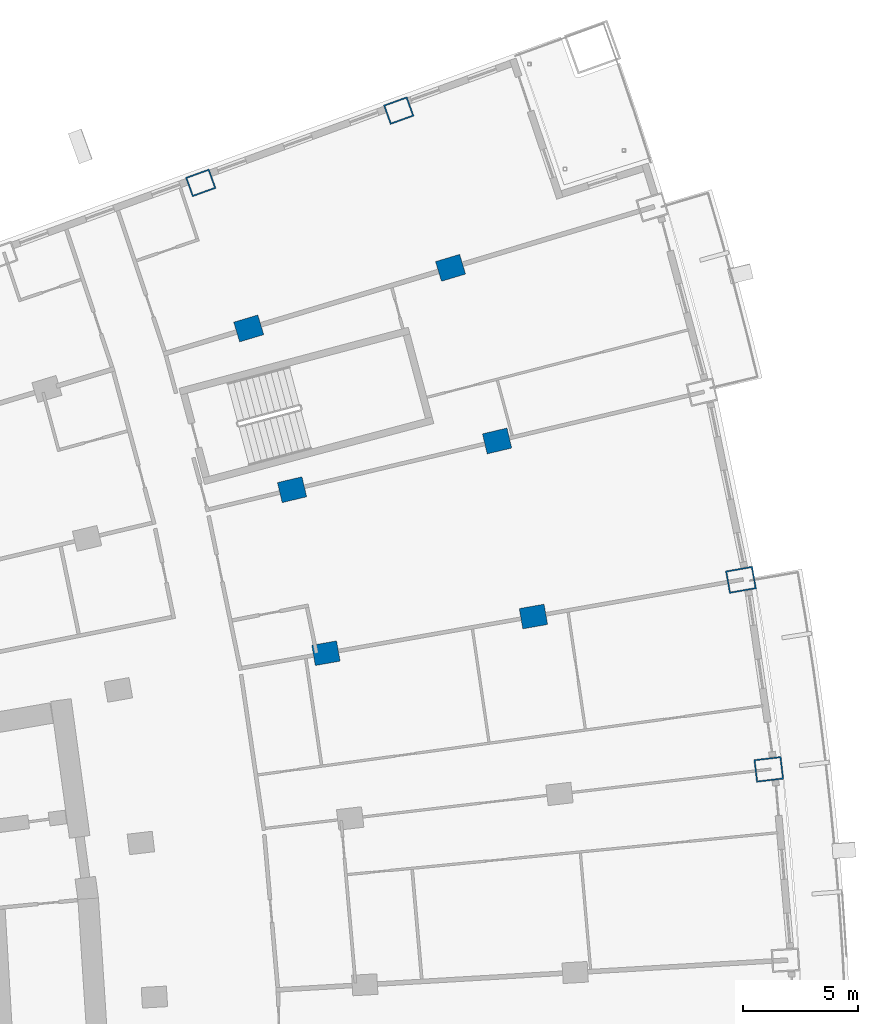
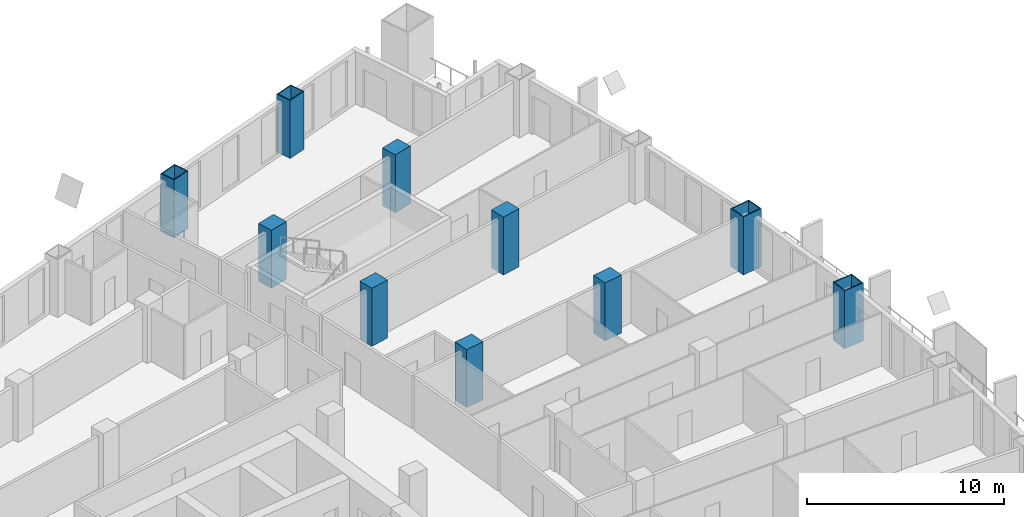
# One storey, part 10 of 24: 10 columns.
"""IFC4 building model written with IfcOpenShell, lengths in metres."""

from ifc_helpers import new_model, si_unit, direction, frame, origin, origin_2d, place, context, subcontext, project, spatial, rectangle, hollow_rectangle, extrude, material, material_profile, profile_set, type_object, element, save


model = new_model("IFC4")

# Units and contexts
model_context = context("Model", 3, precision=1e-05, world=origin(), true_north=direction((0.0, 1.0)))
body_context = subcontext(model_context, "Body", "Model", "MODEL_VIEW")
ifc_project = project(units=[si_unit("LENGTHUNIT", "METRE"), si_unit("AREAUNIT", "SQUARE_METRE"), si_unit("VOLUMEUNIT", "CUBIC_METRE"), si_unit("PLANEANGLEUNIT", "RADIAN"), si_unit("MASSUNIT", "GRAM", prefix="KILO")], contexts=[model_context])

# Site, building, storey
site_placement = place(None, origin())
site = spatial("IfcSite", under=ifc_project, at=site_placement, CompositionType="ELEMENT")
building_placement = place(site_placement, origin())
building = spatial("IfcBuilding", under=site, at=building_placement, Name="Alderwake Tower", CompositionType="ELEMENT")
storey_placement = place(building_placement, frame((0.0, 0.0, 39.199951171875)))
storey = spatial("IfcBuildingStorey", under=building, at=storey_placement, Name="L08", CompositionType="ELEMENT", Elevation=39.199951171875)

# Columns
ifc_material_1 = material(Name="Steel ASTM A572 Grade 50 concrete filled C70/85", Category="concrete")
ifc_material_profile_1 = material_profile(ifc_material_1, hollow_rectangle(XDim=0.89990234375, YDim=1.10009765625, WallThickness=0.06005859375, at=origin_2d()), Name="BOX 1100X900X60")
ifc_profile_set_1 = profile_set([ifc_material_profile_1], Name="Steel ASTM A572 Grade 50 concrete filled C70/85")
column_type_1 = type_object("IfcColumnType", Name="End column Z1", PredefinedType="COLUMN", material=ifc_profile_set_1)
for number, where, z_axis, x_axis, name in (
    (1, (37.6259765625, 103.298095703125, 0.0), (0.0, 0.0, 1.0), (-0.338384834858, 0.941007812687, 0.0), "Column R13-C3"),
    (2, (46.268310546875, 106.452880859375, 0.0), (0.0, 0.0, 1.0), (-0.338695224082, 0.940896139425, 0.0), "Column R13-C4"),
):
    element("IfcColumn", number, at=place(storey_placement, frame(where, z_axis=z_axis, x_axis=x_axis)), inside=storey, type_object=column_type_1, Name=name, PredefinedType="COLUMN", context=body_context, shape_type="SweptSolid", body=[
        extrude(hollow_rectangle(XDim=0.89990234375, YDim=1.10009765625, WallThickness=0.06005859375, at=origin_2d()), origin(), (0.0, 0.0, 1.0), 3.60009765625),
    ])
ifc_material_2 = material(Name="Concrete C70/85", Category="concrete")
ifc_material_profile_2 = material_profile(ifc_material_2, rectangle(XDim=0.89990234375, YDim=1.10009765625, at=origin_2d()), Name="RC 1100X900")
ifc_profile_set_2 = profile_set([ifc_material_profile_2], Name="Concrete C70/85")
column_type_2 = type_object("IfcColumnType", Name="Interior column Z1", PredefinedType="COLUMN", material=ifc_profile_set_2)
for number, where, z_axis, x_axis, name in (
    (3, (43.0908203125, 82.763427734375, 0.0), (0.0, 0.0, 1.0), (-0.174108800747, 0.984726421654, 0.0), "Column R10-C3"),
    (4, (52.150390625, 84.365234375, 0.0), (0.0, 0.0, 1.0), (-0.174108800747, 0.984726421654, 0.0), "Column R10-C4"),
    (5, (41.612548828125, 89.902587890625, 0.0), (0.0, 0.0, 1.0), (-0.231221547198, 0.972901123502, 0.0), "Column R11-C3"),
    (6, (50.563232421875, 92.030029296875, 0.0), (0.0, 0.0, 1.0), (-0.231221547198, 0.972901123502, 0.0), "Column R11-C4"),
    (7, (39.720703125, 96.943603515625, 0.0), (0.0, 0.0, 1.0), (-0.287549418125, 0.957765802342, 0.0), "Column R12-C3"),
    (8, (48.5322265625, 99.589111328125, 0.0), (0.0, 0.0, 1.0), (-0.287549418125, 0.957765802342, 0.0), "Column R12-C4"),
):
    element("IfcColumn", number, at=place(storey_placement, frame(where, z_axis=z_axis, x_axis=x_axis)), inside=storey, type_object=column_type_2, Name=name, PredefinedType="COLUMN", context=body_context, shape_type="SweptSolid", body=[
        extrude(rectangle(XDim=0.89990234375, YDim=1.10009765625, at=origin_2d()), origin(), (0.0, 0.0, 1.0), 3.60009765625),
    ])
ifc_material_3 = material(Name="Steel ASTM A572 Grade 50 concrete filled C70/85", Category="concrete")
ifc_material_profile_3 = material_profile(ifc_material_3, hollow_rectangle(XDim=1.0, YDim=1.199951171875, WallThickness=0.06005859375, at=origin_2d()), Name="BOX 1200X1000X60")
ifc_profile_set_3 = profile_set([ifc_material_profile_3], Name="Steel ASTM A572 Grade 50 concrete filled C70/85")
column_type_3 = type_object("IfcColumnType", Name="Perimeter column Z1", PredefinedType="COLUMN", material=ifc_profile_set_3)
for number, where, z_axis, x_axis, name in (
    (9, (62.42529296875, 77.692138671875, 0.0), (0.0, 0.0, 1.0), (-0.116402054316, 0.993202175668, 0.0), "Column R09-C5"),
    (10, (61.209716796875, 85.967041015625, 0.0), (0.0, 0.0, 1.0), (-0.174108800747, 0.984726421654, 0.0), "Column R10-C5"),
):
    element("IfcColumn", number, at=place(storey_placement, frame(where, z_axis=z_axis, x_axis=x_axis)), inside=storey, type_object=column_type_3, Name=name, PredefinedType="COLUMN", context=body_context, shape_type="SweptSolid", body=[
        extrude(hollow_rectangle(XDim=1.0, YDim=1.199951171875, WallThickness=0.06005859375, at=origin_2d()), origin(), (0.0, 0.0, 1.0), 3.60009765625),
    ])

save(model, "model.ifc")
